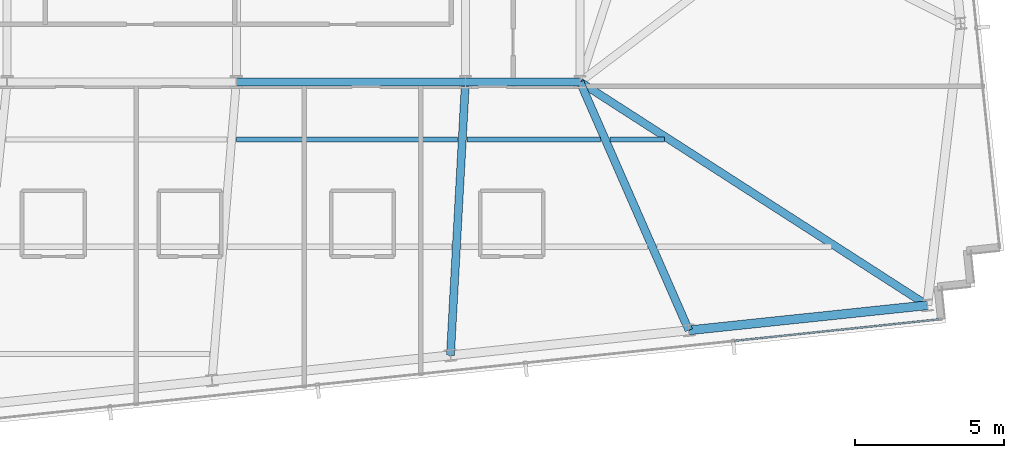
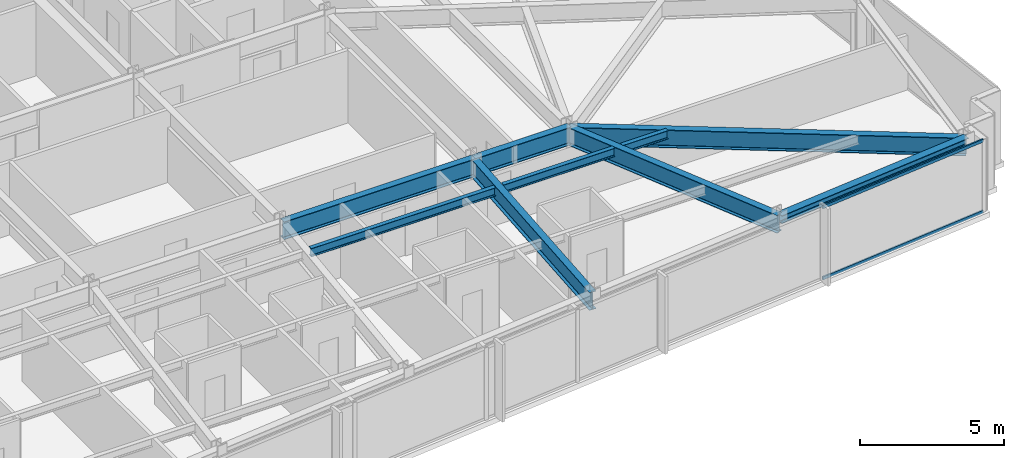
# One storey, part 16 of 33: 9 beams, 2 members, 1 element without a shape of its own.
"""IFC4 building model written with IfcOpenShell, lengths in metres."""

from ifc_helpers import new_model, si_unit, direction, frame, origin, origin_2d, place, context, subcontext, project, spatial, hollow_rectangle, i_section, extrude, material, material_profile, profile_set, type_object, element, aggregate, save


model = new_model("IFC4")

# Units and contexts
model_context = context("Model", 3, precision=1e-05, world=origin(), true_north=direction((0.0, 1.0)))
body_context = subcontext(model_context, "Body", "Model", "MODEL_VIEW")
ifc_project = project(units=[si_unit("LENGTHUNIT", "METRE"), si_unit("AREAUNIT", "SQUARE_METRE"), si_unit("VOLUMEUNIT", "CUBIC_METRE"), si_unit("PLANEANGLEUNIT", "RADIAN"), si_unit("MASSUNIT", "GRAM", prefix="KILO")], contexts=[model_context])

# Site, building, storey
site_placement = place(None, origin())
site = spatial("IfcSite", under=ifc_project, at=site_placement, CompositionType="ELEMENT")
building_placement = place(site_placement, origin())
building = spatial("IfcBuilding", under=site, at=building_placement, Name="Yelkora Congress Tower", CompositionType="ELEMENT")
storey_placement = place(building_placement, frame((0.0, 0.0, 240.800048828125)))
storey = spatial("IfcBuildingStorey", under=building, at=storey_placement, Name="L67", CompositionType="ELEMENT", Elevation=240.800048828125)

# Beams
ifc_material_1 = material(Name="Steel S355J2", Category="steel")
ifc_material_profile_1 = material_profile(ifc_material_1, i_section(OverallWidth=0.26708984375, OverallDepth=0.761962890625, WebThickness=0.014404296875, FlangeThickness=0.021484375, FilletRadius=0.01708984375, at=origin_2d()), Name="IPE 750x173")
ifc_profile_set_1 = profile_set([ifc_material_profile_1], Name="Steel S355J2")
beam_type_1 = type_object("IfcBeamType", Name="BM-GIRD-IPE750", PredefinedType="BEAM", material=ifc_profile_set_1)
beam_1_placement = place(storey_placement, frame((46.080078125, 25.199951171875, 2.698974609375), z_axis=(1.0, 0.0, 0.0), x_axis=(0.0, 1.0, 0.0)))
element("IfcBeam", 1, at=beam_1_placement, inside=storey, type_object=beam_type_1, Name="L67 Spine Grid D Girder 5", PredefinedType="BEAM", context=body_context, shape_type="SweptSolid", body=[
    extrude(i_section(OverallWidth=0.26708984375, OverallDepth=0.761962890625, WebThickness=0.014404296875, FlangeThickness=0.021484375, FilletRadius=0.01708984375, at=origin_2d()), origin(), (0.0, 0.0, 1.0), 7.679931640625),
])
beam_2_placement = place(storey_placement, frame((53.760009765625, 25.199951171875, 2.698974609375), z_axis=(1.0, 0.0, 0.0), x_axis=(0.0, 1.0, 0.0)))
element("IfcBeam", 2, at=beam_2_placement, inside=storey, type_object=beam_type_1, Name="L67 Spine Grid D Girder 6", PredefinedType="BEAM", context=body_context, shape_type="SweptSolid", body=[
    extrude(i_section(OverallWidth=0.26708984375, OverallDepth=0.761962890625, WebThickness=0.014404296875, FlangeThickness=0.021484375, FilletRadius=0.01708984375, at=origin_2d()), origin(), (0.0, 0.0, 1.0), 3.840087890625),
])
beam_3_placement = place(storey_placement, frame((53.25634765625, 16.037353515625, 2.698974609375), z_axis=(0.054886497042, 0.998492600094, 0.0), x_axis=(-0.998492600094, 0.054886497042, 0.0)))
element("IfcBeam", 3, at=beam_3_placement, inside=storey, type_object=beam_type_1, Name="L67 Primary Frame Girder S05", PredefinedType="BEAM", context=body_context, shape_type="SweptSolid", body=[
    extrude(i_section(OverallWidth=0.26708984375, OverallDepth=0.761962890625, WebThickness=0.014404296875, FlangeThickness=0.021484375, FilletRadius=0.01708984375, at=origin_2d()), origin(), (0.0, 0.0, 1.0), 9.176513671875),
])
beam_4_placement = place(storey_placement, frame((61.24560546875, 16.877197265625, 2.698974609375), z_axis=(-0.401216289608, 0.915983345347, 0.0), x_axis=(-0.915983345347, -0.401216289608, 0.0)))
element("IfcBeam", 4, at=beam_4_placement, inside=storey, type_object=beam_type_1, Name="L67 Primary Frame Girder S06", PredefinedType="BEAM", context=body_context, shape_type="SweptSolid", body=[
    extrude(i_section(OverallWidth=0.26708984375, OverallDepth=0.761962890625, WebThickness=0.014404296875, FlangeThickness=0.021484375, FilletRadius=0.01708984375, at=origin_2d()), origin(), (0.0, 0.0, 1.0), 9.086181640625),
])
beam_5_placement = place(storey_placement, frame((69.235107421875, 17.716796875, 2.698974609375), z_axis=(-0.841063201017, 0.54093686498, 0.0), x_axis=(-0.54093686498, -0.841063201017, 0.0)))
element("IfcBeam", 5, at=beam_5_placement, inside=storey, type_object=beam_type_1, Name="L67 Primary Frame Girder S07", PredefinedType="BEAM", context=body_context, shape_type="SweptSolid", body=[
    extrude(i_section(OverallWidth=0.26708984375, OverallDepth=0.761962890625, WebThickness=0.014404296875, FlangeThickness=0.021484375, FilletRadius=0.01708984375, at=origin_2d()), origin(), (0.0, 0.0, 1.0), 13.833740234375),
])
ifc_material_profile_2 = material_profile(ifc_material_1, i_section(OverallWidth=0.169921875, OverallDepth=0.360107421875, WebThickness=0.008056640625, FlangeThickness=0.0126953125, FilletRadius=0.01806640625, at=origin_2d()), Name="IPE 360")
ifc_profile_set_2 = profile_set([ifc_material_profile_2], Name="Steel S355J2")
beam_type_2 = type_object("IfcBeamType", Name="BM-JOIST-IPE360", PredefinedType="JOIST", material=ifc_profile_set_2)
beam_6_placement = place(storey_placement, frame((46.083740234375, 23.278564453125, 2.89990234375), z_axis=(1.0, 0.0, 0.0), x_axis=(0.0, 1.0, 0.0)))
element("IfcBeam", 6, at=beam_6_placement, inside=storey, type_object=beam_type_2, Name="L67 Composite Floor Joist 12", PredefinedType="JOIST", context=body_context, shape_type="SweptSolid", body=[
    extrude(i_section(OverallWidth=0.169921875, OverallDepth=0.360107421875, WebThickness=0.008056640625, FlangeThickness=0.0126953125, FilletRadius=0.01806640625, at=origin_2d()), origin(), (0.0, 0.0, 1.0), 7.41064453125),
])
beam_7_placement = place(storey_placement, frame((53.814453125, 23.278564453125, 2.89990234375), z_axis=(1.0, 0.0, 0.0), x_axis=(0.0, 1.0, 0.0)))
element("IfcBeam", 7, at=beam_7_placement, inside=storey, type_object=beam_type_2, Name="L67 Composite Floor Joist 13", PredefinedType="JOIST", context=body_context, shape_type="SweptSolid", body=[
    extrude(i_section(OverallWidth=0.169921875, OverallDepth=0.360107421875, WebThickness=0.008056640625, FlangeThickness=0.0126953125, FilletRadius=0.01806640625, at=origin_2d()), origin(), (0.0, 0.0, 1.0), 4.46728515625),
])
beam_8_placement = place(storey_placement, frame((58.601806640625, 23.278564453125, 2.89990234375), z_axis=(1.0, 0.0, 0.0), x_axis=(0.0, 1.0, 0.0)))
element("IfcBeam", 8, at=beam_8_placement, inside=storey, type_object=beam_type_2, Name="L67 Composite Floor Joist 14", PredefinedType="JOIST", context=body_context, shape_type="SweptSolid", body=[
    extrude(i_section(OverallWidth=0.169921875, OverallDepth=0.360107421875, WebThickness=0.008056640625, FlangeThickness=0.0126953125, FilletRadius=0.01806640625, at=origin_2d()), origin(), (0.0, 0.0, 1.0), 1.82568359375),
])
ifc_material_profile_3 = material_profile(ifc_material_1, i_section(OverallWidth=0.300048828125, OverallDepth=0.340087890625, WebThickness=0.011962890625, FlangeThickness=0.021484375, FilletRadius=0.027099609375, at=origin_2d()), Name="HEB 340")
ifc_profile_set_3 = profile_set([ifc_material_profile_3], Name="Steel S355J2")
beam_type_3 = type_object("IfcBeamType", Name="BM-SPAN-HEB340", PredefinedType="SPANDREL", material=ifc_profile_set_3)
beam_9_placement = place(storey_placement, frame((61.24560546875, 16.877197265625, 2.909912109375), z_axis=(0.99452358891, 0.104512349038, 0.0), x_axis=(-0.104512349038, 0.99452358891, 0.0)))
element("IfcBeam", 9, at=beam_9_placement, inside=storey, type_object=beam_type_3, Name="L67 Perimeter Beam 8", PredefinedType="SPANDREL", context=body_context, shape_type="SweptSolid", body=[
    extrude(i_section(OverallWidth=0.300048828125, OverallDepth=0.340087890625, WebThickness=0.011962890625, FlangeThickness=0.021484375, FilletRadius=0.027099609375, at=origin_2d()), origin(), (0.0, 0.0, 1.0), 8.033447265625),
])

# Curtain wall, members
ifc_material_2 = material(Name="Anodised aluminium and insulated glass", Category="aluminium")
curtain_wall_type = type_object("IfcCurtainWallType", Name="CW-SYS-B4", PredefinedType="NOTDEFINED", material=ifc_material_2)
curtain_wall_placement = place(storey_placement, origin())
curtain_wall = element("IfcCurtainWall", 10, at=curtain_wall_placement, inside=storey, type_object=curtain_wall_type, Name="L67 Unitised Curtain Wall 20", PredefinedType="NOTDEFINED")
ifc_material_3 = material(Name="Anodised aluminium 6063-T6", Category="aluminium")
ifc_material_profile_4 = material_profile(ifc_material_3, hollow_rectangle(XDim=0.06005859375, YDim=0.1298828125, WallThickness=0.00390625, at=origin_2d()), Name="ALU 60x130x4")
ifc_profile_set_4 = profile_set([ifc_material_profile_4], Name="Anodised aluminium 6063-T6")
member_type = type_object("IfcMemberType", Name="MEM-TR-B4", PredefinedType="USERDEFINED", material=ifc_profile_set_4)
member_1_placement = place(storey_placement, frame((69.63134765625, 17.24560546875, 0.030029296875), z_axis=(-0.994523648539, -0.104511781616, 0.0), x_axis=(0.104511781616, -0.994523648539, 0.0)))
member_1 = element("IfcMember", 11, at=member_1_placement, type_object=member_type, Name="CW-B4 transom 1.1", ObjectType="TRANSOM", PredefinedType="USERDEFINED", context=body_context, shape_type="SweptSolid", body=[
    extrude(hollow_rectangle(XDim=0.06005859375, YDim=0.1298828125, WallThickness=0.00390625, at=origin_2d()), origin(), (0.0, 0.0, 1.0), 6.9052734375),
])
member_2_placement = place(storey_placement, frame((69.63134765625, 17.24560546875, 3.050048828125), z_axis=(-0.994523648539, -0.104511781616, 0.0), x_axis=(0.104511781616, -0.994523648539, 0.0)))
member_2 = element("IfcMember", 12, at=member_2_placement, type_object=member_type, Name="CW-B4 transom 1.2", ObjectType="TRANSOM", PredefinedType="USERDEFINED", context=body_context, shape_type="SweptSolid", body=[
    extrude(hollow_rectangle(XDim=0.06005859375, YDim=0.1298828125, WallThickness=0.00390625, at=origin_2d()), origin(), (0.0, 0.0, 1.0), 6.9052734375),
])
aggregate(curtain_wall, [member_1, member_2])

save(model, "model.ifc")
